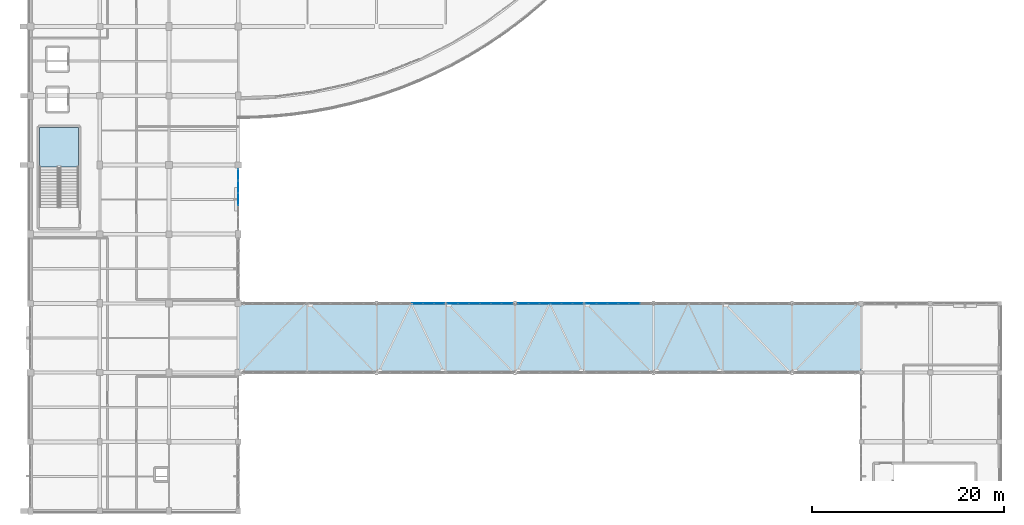
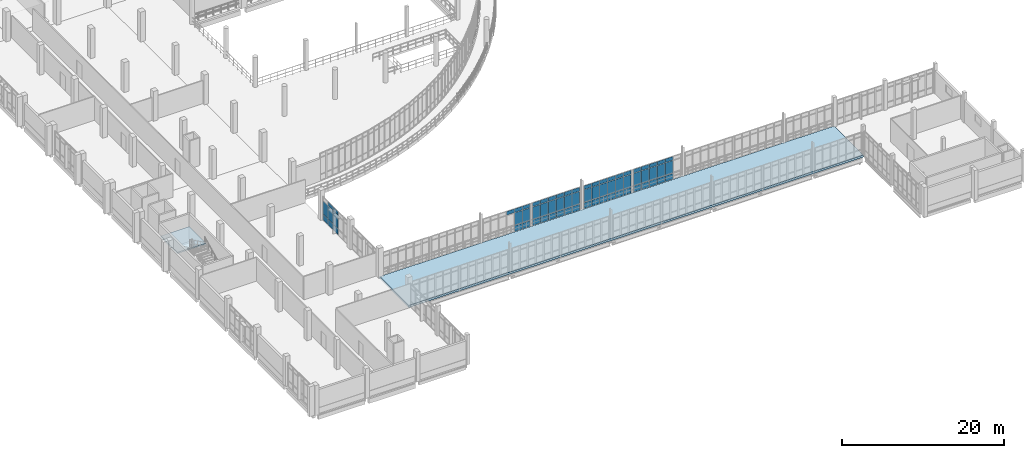
# One storey, part 87 of 116: 66 plates, 2 slabs, 6 elements without a shape of their own.
"""IFC4 building model written with IfcOpenShell, lengths in metres."""

from ifc_helpers import new_model, si_unit, direction, frame, origin, origin_2d, place, context, subcontext, project, spatial, polyline, rectangle, outline, extrude, material, layer, layer_set, type_object, element, aggregate, save


model = new_model("IFC4")

# Units and contexts
model_context = context("Model", 3, precision=1e-05, world=origin(), true_north=direction((0.0, 1.0)))
body_context = subcontext(model_context, "Body", "Model", "MODEL_VIEW")
ifc_project = project(units=[si_unit("LENGTHUNIT", "METRE"), si_unit("AREAUNIT", "SQUARE_METRE"), si_unit("VOLUMEUNIT", "CUBIC_METRE"), si_unit("PLANEANGLEUNIT", "RADIAN"), si_unit("MASSUNIT", "GRAM", prefix="KILO")], contexts=[model_context])

# Site, building, storey
site_placement = place(None, origin())
site = spatial("IfcSite", under=ifc_project, at=site_placement, CompositionType="ELEMENT")
building_placement = place(site_placement, origin())
building = spatial("IfcBuilding", under=site, at=building_placement, Name="Kalluvel Institute of Natural Sciences", CompositionType="ELEMENT")
storey_placement = place(building_placement, frame((0.0, 0.0, 14.39990234375)))
storey = spatial("IfcBuildingStorey", under=building, at=storey_placement, Name="L03", CompositionType="ELEMENT", Elevation=14.39990234375)

# Curtain wall, plates
ifc_material_1 = material(Name="Aluminium AW-6063 T6", Category="aluminium")
curtain_wall_type_1 = type_object("IfcCurtainWallType", Name="CW-DRY-45", PredefinedType="USERDEFINED", material=ifc_material_1)
curtain_wall_1_placement = place(storey_placement, origin())
curtain_wall_1 = element("IfcCurtainWall", 1, at=curtain_wall_1_placement, inside=storey, type_object=curtain_wall_type_1, Name="L03 Gothic lancet curtain wall CWA-L03-X356-Y432", ObjectType="UNITISED LANCET FACADE", PredefinedType="USERDEFINED")
ifc_material_2 = material(Name="Solar-Control Low-E Laminated Glass", Category="glass")
ifc_layer_1 = layer(ifc_material_2, 0.031982421875)
ifc_layer_set_1 = layer_set([ifc_layer_1], Name="Solar-Control Low-E Laminated Glass")
plate_type = type_object("IfcPlateType", Name="CWP-DGU-32", PredefinedType="CURTAIN_PANEL", material=ifc_layer_set_1)
plate_1_placement = place(storey_placement, frame((35.60009765625, 46.4375, 0.065185546875), z_axis=(0.0, 0.0, 1.0), x_axis=(0.0, 1.0, 0.0)))
plate_1 = element("IfcPlate", 2, at=plate_1_placement, type_object=plate_type, Name="CW-03 panel 3.1", PredefinedType="CURTAIN_PANEL", context=body_context, shape_type="SweptSolid", body=[
    extrude(rectangle(XDim=1.2099609375, YDim=0.031982421875, at=origin_2d()), origin(), (0.0, 0.0, 1.0), 0.8525390625),
])
plate_2_placement = place(storey_placement, frame((35.60009765625, 46.4375, 0.982666015625), z_axis=(0.0, 0.0, 1.0), x_axis=(0.0, 1.0, 0.0)))
plate_2 = element("IfcPlate", 3, at=plate_2_placement, type_object=plate_type, Name="CW-03 panel 3.2", PredefinedType="CURTAIN_PANEL", context=body_context, shape_type="SweptSolid", body=[
    extrude(rectangle(XDim=1.2099609375, YDim=0.031982421875, at=origin_2d()), origin(), (0.0, 0.0, 1.0), 1.955078125),
])
plate_3_placement = place(storey_placement, frame((35.60009765625, 46.4375, 3.00244140625), z_axis=(0.0, 0.0, 1.0), x_axis=(0.0, 1.0, 0.0)))
plate_3 = element("IfcPlate", 4, at=plate_3_placement, type_object=plate_type, Name="CW-03 panel 3.3", PredefinedType="CURTAIN_PANEL", context=body_context, shape_type="SweptSolid", body=[
    extrude(rectangle(XDim=1.2099609375, YDim=0.031982421875, at=origin_2d()), origin(), (0.0, 0.0, 1.0), 0.552490234375),
])
plate_4_placement = place(storey_placement, frame((35.60009765625, 47.71240234375, 0.065185546875), z_axis=(0.0, 0.0, 1.0), x_axis=(0.0, 1.0, 0.0)))
plate_4 = element("IfcPlate", 5, at=plate_4_placement, type_object=plate_type, Name="CW-03 panel 4.1", PredefinedType="CURTAIN_PANEL", context=body_context, shape_type="SweptSolid", body=[
    extrude(rectangle(XDim=1.2099609375, YDim=0.031982421875, at=origin_2d()), origin(), (0.0, 0.0, 1.0), 0.8525390625),
])
plate_5_placement = place(storey_placement, frame((35.60009765625, 47.71240234375, 0.982666015625), z_axis=(0.0, 0.0, 1.0), x_axis=(0.0, 1.0, 0.0)))
plate_5 = element("IfcPlate", 6, at=plate_5_placement, type_object=plate_type, Name="CW-03 panel 4.2", PredefinedType="CURTAIN_PANEL", context=body_context, shape_type="SweptSolid", body=[
    extrude(rectangle(XDim=1.2099609375, YDim=0.031982421875, at=origin_2d()), origin(), (0.0, 0.0, 1.0), 1.955078125),
])
plate_6_placement = place(storey_placement, frame((35.60009765625, 47.71240234375, 3.00244140625), z_axis=(0.0, 0.0, 1.0), x_axis=(0.0, 1.0, 0.0)))
plate_6 = element("IfcPlate", 7, at=plate_6_placement, type_object=plate_type, Name="CW-03 panel 4.3", PredefinedType="CURTAIN_PANEL", context=body_context, shape_type="SweptSolid", body=[
    extrude(rectangle(XDim=1.2099609375, YDim=0.031982421875, at=origin_2d()), origin(), (0.0, 0.0, 1.0), 0.552490234375),
])
plate_7_placement = place(storey_placement, frame((35.60009765625, 48.97119140625, 0.065185546875), z_axis=(0.0, 0.0, 1.0), x_axis=(0.0, 1.0, 0.0)))
plate_7 = element("IfcPlate", 8, at=plate_7_placement, type_object=plate_type, Name="CW-03 panel 5.1", PredefinedType="CURTAIN_PANEL", context=body_context, shape_type="SweptSolid", body=[
    extrude(rectangle(XDim=1.177490234375, YDim=0.031982421875, at=origin_2d()), origin(), (0.0, 0.0, 1.0), 0.8525390625),
])
plate_8_placement = place(storey_placement, frame((35.60009765625, 48.97119140625, 0.982666015625), z_axis=(0.0, 0.0, 1.0), x_axis=(0.0, 1.0, 0.0)))
plate_8 = element("IfcPlate", 9, at=plate_8_placement, type_object=plate_type, Name="CW-03 panel 5.2", PredefinedType="CURTAIN_PANEL", context=body_context, shape_type="SweptSolid", body=[
    extrude(rectangle(XDim=1.177490234375, YDim=0.031982421875, at=origin_2d()), origin(), (0.0, 0.0, 1.0), 1.955078125),
])
aggregate(curtain_wall_1, [plate_1, plate_2, plate_3, plate_4, plate_5, plate_6, plate_7, plate_8])

curtain_wall_type_2 = type_object("IfcCurtainWallType", Name="CW-BRG-45", PredefinedType="USERDEFINED", material=ifc_material_1)
curtain_wall_2_placement = place(storey_placement, origin())
curtain_wall_2 = element("IfcCurtainWall", 10, at=curtain_wall_2_placement, inside=storey, type_object=curtain_wall_type_2, Name="L03 Gothic lancet curtain wall CWA-L03-X502-Y356", ObjectType="UNITISED LANCET FACADE", PredefinedType="USERDEFINED")
plate_9_placement = place(storey_placement, frame((54.239990234375, 35.60009765625, 2.920166015625), z_axis=(0.0, 0.0, 1.0), x_axis=(1.0, 0.0, 0.0)))
plate_9 = element("IfcPlate", 11, at=plate_9_placement, type_object=plate_type, Name="CW-07 panel 4.3", PredefinedType="CURTAIN_PANEL", context=body_context, shape_type="SweptSolid", body=[
    extrude(rectangle(XDim=1.080078125, YDim=0.031982421875, at=origin_2d()), origin(), (0.0, 0.0, 1.0), 0.56005859375),
])
plate_10_placement = place(storey_placement, frame((55.3798828125, 35.60009765625, 0.06005859375), z_axis=(0.0, 0.0, 1.0), x_axis=(1.0, 0.0, 0.0)))
plate_10 = element("IfcPlate", 12, at=plate_10_placement, type_object=plate_type, Name="CW-07 panel 5.1", PredefinedType="CURTAIN_PANEL", context=body_context, shape_type="SweptSolid", body=[
    extrude(rectangle(XDim=1.080078125, YDim=0.031982421875, at=origin_2d()), origin(), (0.0, 0.0, 1.0), 0.860107421875),
])
plate_11_placement = place(storey_placement, frame((55.3798828125, 35.60009765625, 0.980224609375), z_axis=(0.0, 0.0, 1.0), x_axis=(1.0, 0.0, 0.0)))
plate_11 = element("IfcPlate", 13, at=plate_11_placement, type_object=plate_type, Name="CW-07 panel 5.2", PredefinedType="CURTAIN_PANEL", context=body_context, shape_type="SweptSolid", body=[
    extrude(rectangle(XDim=1.080078125, YDim=0.031982421875, at=origin_2d()), origin(), (0.0, 0.0, 1.0), 1.8798828125),
])
plate_12_placement = place(storey_placement, frame((55.3798828125, 35.60009765625, 2.920166015625), z_axis=(0.0, 0.0, 1.0), x_axis=(1.0, 0.0, 0.0)))
plate_12 = element("IfcPlate", 14, at=plate_12_placement, type_object=plate_type, Name="CW-07 panel 5.3", PredefinedType="CURTAIN_PANEL", context=body_context, shape_type="SweptSolid", body=[
    extrude(rectangle(XDim=1.080078125, YDim=0.031982421875, at=origin_2d()), origin(), (0.0, 0.0, 1.0), 0.56005859375),
])
plate_13_placement = place(storey_placement, frame((56.5048828125, 35.60009765625, 0.06005859375), z_axis=(0.0, 0.0, 1.0), x_axis=(1.0, 0.0, 0.0)))
plate_13 = element("IfcPlate", 15, at=plate_13_placement, type_object=plate_type, Name="CW-07 panel 6.1", PredefinedType="CURTAIN_PANEL", context=body_context, shape_type="SweptSolid", body=[
    extrude(rectangle(XDim=1.050048828125, YDim=0.031982421875, at=origin_2d()), origin(), (0.0, 0.0, 1.0), 0.860107421875),
])
plate_14_placement = place(storey_placement, frame((56.5048828125, 35.60009765625, 0.980224609375), z_axis=(0.0, 0.0, 1.0), x_axis=(1.0, 0.0, 0.0)))
plate_14 = element("IfcPlate", 16, at=plate_14_placement, type_object=plate_type, Name="CW-07 panel 6.2", PredefinedType="CURTAIN_PANEL", context=body_context, shape_type="SweptSolid", body=[
    extrude(rectangle(XDim=1.050048828125, YDim=0.031982421875, at=origin_2d()), origin(), (0.0, 0.0, 1.0), 1.8798828125),
])
plate_15_placement = place(storey_placement, frame((56.5048828125, 35.60009765625, 2.920166015625), z_axis=(0.0, 0.0, 1.0), x_axis=(1.0, 0.0, 0.0)))
plate_15 = element("IfcPlate", 17, at=plate_15_placement, type_object=plate_type, Name="CW-07 panel 6.3", PredefinedType="CURTAIN_PANEL", context=body_context, shape_type="SweptSolid", body=[
    extrude(rectangle(XDim=1.050048828125, YDim=0.031982421875, at=origin_2d()), origin(), (0.0, 0.0, 1.0), 0.56005859375),
])
aggregate(curtain_wall_2, [plate_9, plate_10, plate_11, plate_12, plate_13, plate_14, plate_15])

curtain_wall_3_placement = place(storey_placement, origin())
curtain_wall_3 = element("IfcCurtainWall", 18, at=curtain_wall_3_placement, inside=storey, type_object=curtain_wall_type_2, Name="L03 Gothic lancet curtain wall CWA-L03-X573-Y356", ObjectType="UNITISED LANCET FACADE", PredefinedType="USERDEFINED")
plate_16_placement = place(storey_placement, frame((57.89501953125, 35.60009765625, 0.06005859375), z_axis=(0.0, 0.0, 1.0), x_axis=(1.0, 0.0, 0.0)))
plate_16 = element("IfcPlate", 19, at=plate_16_placement, type_object=plate_type, Name="CW-07 panel 1.1", PredefinedType="CURTAIN_PANEL", context=body_context, shape_type="SweptSolid", body=[
    extrude(rectangle(XDim=1.050048828125, YDim=0.031982421875, at=origin_2d()), origin(), (0.0, 0.0, 1.0), 0.860107421875),
])
plate_17_placement = place(storey_placement, frame((57.89501953125, 35.60009765625, 0.980224609375), z_axis=(0.0, 0.0, 1.0), x_axis=(1.0, 0.0, 0.0)))
plate_17 = element("IfcPlate", 20, at=plate_17_placement, type_object=plate_type, Name="CW-07 panel 1.2", PredefinedType="CURTAIN_PANEL", context=body_context, shape_type="SweptSolid", body=[
    extrude(rectangle(XDim=1.050048828125, YDim=0.031982421875, at=origin_2d()), origin(), (0.0, 0.0, 1.0), 1.8798828125),
])
plate_18_placement = place(storey_placement, frame((57.89501953125, 35.60009765625, 2.920166015625), z_axis=(0.0, 0.0, 1.0), x_axis=(1.0, 0.0, 0.0)))
plate_18 = element("IfcPlate", 21, at=plate_18_placement, type_object=plate_type, Name="CW-07 panel 1.3", PredefinedType="CURTAIN_PANEL", context=body_context, shape_type="SweptSolid", body=[
    extrude(rectangle(XDim=1.050048828125, YDim=0.031982421875, at=origin_2d()), origin(), (0.0, 0.0, 1.0), 0.56005859375),
])
plate_19_placement = place(storey_placement, frame((59.02001953125, 35.60009765625, 0.06005859375), z_axis=(0.0, 0.0, 1.0), x_axis=(1.0, 0.0, 0.0)))
plate_19 = element("IfcPlate", 22, at=plate_19_placement, type_object=plate_type, Name="CW-07 panel 2.1", PredefinedType="CURTAIN_PANEL", context=body_context, shape_type="SweptSolid", body=[
    extrude(rectangle(XDim=1.080078125, YDim=0.031982421875, at=origin_2d()), origin(), (0.0, 0.0, 1.0), 0.860107421875),
])
plate_20_placement = place(storey_placement, frame((59.02001953125, 35.60009765625, 0.980224609375), z_axis=(0.0, 0.0, 1.0), x_axis=(1.0, 0.0, 0.0)))
plate_20 = element("IfcPlate", 23, at=plate_20_placement, type_object=plate_type, Name="CW-07 panel 2.2", PredefinedType="CURTAIN_PANEL", context=body_context, shape_type="SweptSolid", body=[
    extrude(rectangle(XDim=1.080078125, YDim=0.031982421875, at=origin_2d()), origin(), (0.0, 0.0, 1.0), 1.8798828125),
])
plate_21_placement = place(storey_placement, frame((59.02001953125, 35.60009765625, 2.920166015625), z_axis=(0.0, 0.0, 1.0), x_axis=(1.0, 0.0, 0.0)))
plate_21 = element("IfcPlate", 24, at=plate_21_placement, type_object=plate_type, Name="CW-07 panel 2.3", PredefinedType="CURTAIN_PANEL", context=body_context, shape_type="SweptSolid", body=[
    extrude(rectangle(XDim=1.080078125, YDim=0.031982421875, at=origin_2d()), origin(), (0.0, 0.0, 1.0), 0.56005859375),
])
plate_22_placement = place(storey_placement, frame((60.159912109375, 35.60009765625, 0.06005859375), z_axis=(0.0, 0.0, 1.0), x_axis=(1.0, 0.0, 0.0)))
plate_22 = element("IfcPlate", 25, at=plate_22_placement, type_object=plate_type, Name="CW-07 panel 3.1", PredefinedType="CURTAIN_PANEL", context=body_context, shape_type="SweptSolid", body=[
    extrude(rectangle(XDim=1.080078125, YDim=0.031982421875, at=origin_2d()), origin(), (0.0, 0.0, 1.0), 0.860107421875),
])
plate_23_placement = place(storey_placement, frame((60.159912109375, 35.60009765625, 0.980224609375), z_axis=(0.0, 0.0, 1.0), x_axis=(1.0, 0.0, 0.0)))
plate_23 = element("IfcPlate", 26, at=plate_23_placement, type_object=plate_type, Name="CW-07 panel 3.2", PredefinedType="CURTAIN_PANEL", context=body_context, shape_type="SweptSolid", body=[
    extrude(rectangle(XDim=1.080078125, YDim=0.031982421875, at=origin_2d()), origin(), (0.0, 0.0, 1.0), 1.8798828125),
])
plate_24_placement = place(storey_placement, frame((60.159912109375, 35.60009765625, 2.920166015625), z_axis=(0.0, 0.0, 1.0), x_axis=(1.0, 0.0, 0.0)))
plate_24 = element("IfcPlate", 27, at=plate_24_placement, type_object=plate_type, Name="CW-07 panel 3.3", PredefinedType="CURTAIN_PANEL", context=body_context, shape_type="SweptSolid", body=[
    extrude(rectangle(XDim=1.080078125, YDim=0.031982421875, at=origin_2d()), origin(), (0.0, 0.0, 1.0), 0.56005859375),
])
plate_25_placement = place(storey_placement, frame((61.300048828125, 35.60009765625, 0.06005859375), z_axis=(0.0, 0.0, 1.0), x_axis=(1.0, 0.0, 0.0)))
plate_25 = element("IfcPlate", 28, at=plate_25_placement, type_object=plate_type, Name="CW-07 panel 4.1", PredefinedType="CURTAIN_PANEL", context=body_context, shape_type="SweptSolid", body=[
    extrude(rectangle(XDim=1.080078125, YDim=0.031982421875, at=origin_2d()), origin(), (0.0, 0.0, 1.0), 0.860107421875),
])
plate_26_placement = place(storey_placement, frame((61.300048828125, 35.60009765625, 0.980224609375), z_axis=(0.0, 0.0, 1.0), x_axis=(1.0, 0.0, 0.0)))
plate_26 = element("IfcPlate", 29, at=plate_26_placement, type_object=plate_type, Name="CW-07 panel 4.2", PredefinedType="CURTAIN_PANEL", context=body_context, shape_type="SweptSolid", body=[
    extrude(rectangle(XDim=1.080078125, YDim=0.031982421875, at=origin_2d()), origin(), (0.0, 0.0, 1.0), 1.8798828125),
])
plate_27_placement = place(storey_placement, frame((61.300048828125, 35.60009765625, 2.920166015625), z_axis=(0.0, 0.0, 1.0), x_axis=(1.0, 0.0, 0.0)))
plate_27 = element("IfcPlate", 30, at=plate_27_placement, type_object=plate_type, Name="CW-07 panel 4.3", PredefinedType="CURTAIN_PANEL", context=body_context, shape_type="SweptSolid", body=[
    extrude(rectangle(XDim=1.080078125, YDim=0.031982421875, at=origin_2d()), origin(), (0.0, 0.0, 1.0), 0.56005859375),
])
plate_28_placement = place(storey_placement, frame((62.43994140625, 35.60009765625, 0.06005859375), z_axis=(0.0, 0.0, 1.0), x_axis=(1.0, 0.0, 0.0)))
plate_28 = element("IfcPlate", 31, at=plate_28_placement, type_object=plate_type, Name="CW-07 panel 5.1", PredefinedType="CURTAIN_PANEL", context=body_context, shape_type="SweptSolid", body=[
    extrude(rectangle(XDim=1.080078125, YDim=0.031982421875, at=origin_2d()), origin(), (0.0, 0.0, 1.0), 0.860107421875),
])
plate_29_placement = place(storey_placement, frame((62.43994140625, 35.60009765625, 0.980224609375), z_axis=(0.0, 0.0, 1.0), x_axis=(1.0, 0.0, 0.0)))
plate_29 = element("IfcPlate", 32, at=plate_29_placement, type_object=plate_type, Name="CW-07 panel 5.2", PredefinedType="CURTAIN_PANEL", context=body_context, shape_type="SweptSolid", body=[
    extrude(rectangle(XDim=1.080078125, YDim=0.031982421875, at=origin_2d()), origin(), (0.0, 0.0, 1.0), 1.8798828125),
])
plate_30_placement = place(storey_placement, frame((62.43994140625, 35.60009765625, 2.920166015625), z_axis=(0.0, 0.0, 1.0), x_axis=(1.0, 0.0, 0.0)))
plate_30 = element("IfcPlate", 33, at=plate_30_placement, type_object=plate_type, Name="CW-07 panel 5.3", PredefinedType="CURTAIN_PANEL", context=body_context, shape_type="SweptSolid", body=[
    extrude(rectangle(XDim=1.080078125, YDim=0.031982421875, at=origin_2d()), origin(), (0.0, 0.0, 1.0), 0.56005859375),
])
plate_31_placement = place(storey_placement, frame((63.56494140625, 35.60009765625, 0.06005859375), z_axis=(0.0, 0.0, 1.0), x_axis=(1.0, 0.0, 0.0)))
plate_31 = element("IfcPlate", 34, at=plate_31_placement, type_object=plate_type, Name="CW-07 panel 6.1", PredefinedType="CURTAIN_PANEL", context=body_context, shape_type="SweptSolid", body=[
    extrude(rectangle(XDim=1.050048828125, YDim=0.031982421875, at=origin_2d()), origin(), (0.0, 0.0, 1.0), 0.860107421875),
])
plate_32_placement = place(storey_placement, frame((63.56494140625, 35.60009765625, 0.980224609375), z_axis=(0.0, 0.0, 1.0), x_axis=(1.0, 0.0, 0.0)))
plate_32 = element("IfcPlate", 35, at=plate_32_placement, type_object=plate_type, Name="CW-07 panel 6.2", PredefinedType="CURTAIN_PANEL", context=body_context, shape_type="SweptSolid", body=[
    extrude(rectangle(XDim=1.050048828125, YDim=0.031982421875, at=origin_2d()), origin(), (0.0, 0.0, 1.0), 1.8798828125),
])
plate_33_placement = place(storey_placement, frame((63.56494140625, 35.60009765625, 2.920166015625), z_axis=(0.0, 0.0, 1.0), x_axis=(1.0, 0.0, 0.0)))
plate_33 = element("IfcPlate", 36, at=plate_33_placement, type_object=plate_type, Name="CW-07 panel 6.3", PredefinedType="CURTAIN_PANEL", context=body_context, shape_type="SweptSolid", body=[
    extrude(rectangle(XDim=1.050048828125, YDim=0.031982421875, at=origin_2d()), origin(), (0.0, 0.0, 1.0), 0.56005859375),
])
aggregate(curtain_wall_3, [plate_16, plate_17, plate_18, plate_19, plate_20, plate_21, plate_22, plate_23, plate_24, plate_25, plate_26, plate_27, plate_28, plate_29, plate_30, plate_31, plate_32, plate_33])

curtain_wall_4_placement = place(storey_placement, origin())
curtain_wall_4 = element("IfcCurtainWall", 37, at=curtain_wall_4_placement, inside=storey, type_object=curtain_wall_type_2, Name="L03 Gothic lancet curtain wall CWA-L03-X646-Y356", ObjectType="UNITISED LANCET FACADE", PredefinedType="USERDEFINED")
plate_34_placement = place(storey_placement, frame((65.235107421875, 35.60009765625, 0.06005859375), z_axis=(0.0, 0.0, 1.0), x_axis=(1.0, 0.0, 0.0)))
plate_34 = element("IfcPlate", 38, at=plate_34_placement, type_object=plate_type, Name="CW-07 panel 1.1", PredefinedType="CURTAIN_PANEL", context=body_context, shape_type="SweptSolid", body=[
    extrude(rectangle(XDim=1.050048828125, YDim=0.031982421875, at=origin_2d()), origin(), (0.0, 0.0, 1.0), 0.860107421875),
])
plate_35_placement = place(storey_placement, frame((65.235107421875, 35.60009765625, 0.980224609375), z_axis=(0.0, 0.0, 1.0), x_axis=(1.0, 0.0, 0.0)))
plate_35 = element("IfcPlate", 39, at=plate_35_placement, type_object=plate_type, Name="CW-07 panel 1.2", PredefinedType="CURTAIN_PANEL", context=body_context, shape_type="SweptSolid", body=[
    extrude(rectangle(XDim=1.050048828125, YDim=0.031982421875, at=origin_2d()), origin(), (0.0, 0.0, 1.0), 1.8798828125),
])
plate_36_placement = place(storey_placement, frame((65.235107421875, 35.60009765625, 2.920166015625), z_axis=(0.0, 0.0, 1.0), x_axis=(1.0, 0.0, 0.0)))
plate_36 = element("IfcPlate", 40, at=plate_36_placement, type_object=plate_type, Name="CW-07 panel 1.3", PredefinedType="CURTAIN_PANEL", context=body_context, shape_type="SweptSolid", body=[
    extrude(rectangle(XDim=1.050048828125, YDim=0.031982421875, at=origin_2d()), origin(), (0.0, 0.0, 1.0), 0.56005859375),
])
plate_37_placement = place(storey_placement, frame((66.360107421875, 35.60009765625, 0.06005859375), z_axis=(0.0, 0.0, 1.0), x_axis=(1.0, 0.0, 0.0)))
plate_37 = element("IfcPlate", 41, at=plate_37_placement, type_object=plate_type, Name="CW-07 panel 2.1", PredefinedType="CURTAIN_PANEL", context=body_context, shape_type="SweptSolid", body=[
    extrude(rectangle(XDim=1.080078125, YDim=0.031982421875, at=origin_2d()), origin(), (0.0, 0.0, 1.0), 0.860107421875),
])
plate_38_placement = place(storey_placement, frame((66.360107421875, 35.60009765625, 0.980224609375), z_axis=(0.0, 0.0, 1.0), x_axis=(1.0, 0.0, 0.0)))
plate_38 = element("IfcPlate", 42, at=plate_38_placement, type_object=plate_type, Name="CW-07 panel 2.2", PredefinedType="CURTAIN_PANEL", context=body_context, shape_type="SweptSolid", body=[
    extrude(rectangle(XDim=1.080078125, YDim=0.031982421875, at=origin_2d()), origin(), (0.0, 0.0, 1.0), 1.8798828125),
])
plate_39_placement = place(storey_placement, frame((66.360107421875, 35.60009765625, 2.920166015625), z_axis=(0.0, 0.0, 1.0), x_axis=(1.0, 0.0, 0.0)))
plate_39 = element("IfcPlate", 43, at=plate_39_placement, type_object=plate_type, Name="CW-07 panel 2.3", PredefinedType="CURTAIN_PANEL", context=body_context, shape_type="SweptSolid", body=[
    extrude(rectangle(XDim=1.080078125, YDim=0.031982421875, at=origin_2d()), origin(), (0.0, 0.0, 1.0), 0.56005859375),
])
plate_40_placement = place(storey_placement, frame((67.5, 35.60009765625, 0.06005859375), z_axis=(0.0, 0.0, 1.0), x_axis=(1.0, 0.0, 0.0)))
plate_40 = element("IfcPlate", 44, at=plate_40_placement, type_object=plate_type, Name="CW-07 panel 3.1", PredefinedType="CURTAIN_PANEL", context=body_context, shape_type="SweptSolid", body=[
    extrude(rectangle(XDim=1.080078125, YDim=0.031982421875, at=origin_2d()), origin(), (0.0, 0.0, 1.0), 0.860107421875),
])
plate_41_placement = place(storey_placement, frame((67.5, 35.60009765625, 0.980224609375), z_axis=(0.0, 0.0, 1.0), x_axis=(1.0, 0.0, 0.0)))
plate_41 = element("IfcPlate", 45, at=plate_41_placement, type_object=plate_type, Name="CW-07 panel 3.2", PredefinedType="CURTAIN_PANEL", context=body_context, shape_type="SweptSolid", body=[
    extrude(rectangle(XDim=1.080078125, YDim=0.031982421875, at=origin_2d()), origin(), (0.0, 0.0, 1.0), 1.8798828125),
])
plate_42_placement = place(storey_placement, frame((67.5, 35.60009765625, 2.920166015625), z_axis=(0.0, 0.0, 1.0), x_axis=(1.0, 0.0, 0.0)))
plate_42 = element("IfcPlate", 46, at=plate_42_placement, type_object=plate_type, Name="CW-07 panel 3.3", PredefinedType="CURTAIN_PANEL", context=body_context, shape_type="SweptSolid", body=[
    extrude(rectangle(XDim=1.080078125, YDim=0.031982421875, at=origin_2d()), origin(), (0.0, 0.0, 1.0), 0.56005859375),
])
plate_43_placement = place(storey_placement, frame((68.639892578125, 35.60009765625, 0.06005859375), z_axis=(0.0, 0.0, 1.0), x_axis=(1.0, 0.0, 0.0)))
plate_43 = element("IfcPlate", 47, at=plate_43_placement, type_object=plate_type, Name="CW-07 panel 4.1", PredefinedType="CURTAIN_PANEL", context=body_context, shape_type="SweptSolid", body=[
    extrude(rectangle(XDim=1.080078125, YDim=0.031982421875, at=origin_2d()), origin(), (0.0, 0.0, 1.0), 0.860107421875),
])
plate_44_placement = place(storey_placement, frame((68.639892578125, 35.60009765625, 0.980224609375), z_axis=(0.0, 0.0, 1.0), x_axis=(1.0, 0.0, 0.0)))
plate_44 = element("IfcPlate", 48, at=plate_44_placement, type_object=plate_type, Name="CW-07 panel 4.2", PredefinedType="CURTAIN_PANEL", context=body_context, shape_type="SweptSolid", body=[
    extrude(rectangle(XDim=1.080078125, YDim=0.031982421875, at=origin_2d()), origin(), (0.0, 0.0, 1.0), 1.8798828125),
])
plate_45_placement = place(storey_placement, frame((68.639892578125, 35.60009765625, 2.920166015625), z_axis=(0.0, 0.0, 1.0), x_axis=(1.0, 0.0, 0.0)))
plate_45 = element("IfcPlate", 49, at=plate_45_placement, type_object=plate_type, Name="CW-07 panel 4.3", PredefinedType="CURTAIN_PANEL", context=body_context, shape_type="SweptSolid", body=[
    extrude(rectangle(XDim=1.080078125, YDim=0.031982421875, at=origin_2d()), origin(), (0.0, 0.0, 1.0), 0.56005859375),
])
plate_46_placement = place(storey_placement, frame((69.780029296875, 35.60009765625, 0.06005859375), z_axis=(0.0, 0.0, 1.0), x_axis=(1.0, 0.0, 0.0)))
plate_46 = element("IfcPlate", 50, at=plate_46_placement, type_object=plate_type, Name="CW-07 panel 5.1", PredefinedType="CURTAIN_PANEL", context=body_context, shape_type="SweptSolid", body=[
    extrude(rectangle(XDim=1.080078125, YDim=0.031982421875, at=origin_2d()), origin(), (0.0, 0.0, 1.0), 0.860107421875),
])
plate_47_placement = place(storey_placement, frame((69.780029296875, 35.60009765625, 0.980224609375), z_axis=(0.0, 0.0, 1.0), x_axis=(1.0, 0.0, 0.0)))
plate_47 = element("IfcPlate", 51, at=plate_47_placement, type_object=plate_type, Name="CW-07 panel 5.2", PredefinedType="CURTAIN_PANEL", context=body_context, shape_type="SweptSolid", body=[
    extrude(rectangle(XDim=1.080078125, YDim=0.031982421875, at=origin_2d()), origin(), (0.0, 0.0, 1.0), 1.8798828125),
])
plate_48_placement = place(storey_placement, frame((69.780029296875, 35.60009765625, 2.920166015625), z_axis=(0.0, 0.0, 1.0), x_axis=(1.0, 0.0, 0.0)))
plate_48 = element("IfcPlate", 52, at=plate_48_placement, type_object=plate_type, Name="CW-07 panel 5.3", PredefinedType="CURTAIN_PANEL", context=body_context, shape_type="SweptSolid", body=[
    extrude(rectangle(XDim=1.080078125, YDim=0.031982421875, at=origin_2d()), origin(), (0.0, 0.0, 1.0), 0.56005859375),
])
plate_49_placement = place(storey_placement, frame((70.905029296875, 35.60009765625, 0.06005859375), z_axis=(0.0, 0.0, 1.0), x_axis=(1.0, 0.0, 0.0)))
plate_49 = element("IfcPlate", 53, at=plate_49_placement, type_object=plate_type, Name="CW-07 panel 6.1", PredefinedType="CURTAIN_PANEL", context=body_context, shape_type="SweptSolid", body=[
    extrude(rectangle(XDim=1.050048828125, YDim=0.031982421875, at=origin_2d()), origin(), (0.0, 0.0, 1.0), 0.860107421875),
])
plate_50_placement = place(storey_placement, frame((70.905029296875, 35.60009765625, 0.980224609375), z_axis=(0.0, 0.0, 1.0), x_axis=(1.0, 0.0, 0.0)))
plate_50 = element("IfcPlate", 54, at=plate_50_placement, type_object=plate_type, Name="CW-07 panel 6.2", PredefinedType="CURTAIN_PANEL", context=body_context, shape_type="SweptSolid", body=[
    extrude(rectangle(XDim=1.050048828125, YDim=0.031982421875, at=origin_2d()), origin(), (0.0, 0.0, 1.0), 1.8798828125),
])
plate_51_placement = place(storey_placement, frame((70.905029296875, 35.60009765625, 2.920166015625), z_axis=(0.0, 0.0, 1.0), x_axis=(1.0, 0.0, 0.0)))
plate_51 = element("IfcPlate", 55, at=plate_51_placement, type_object=plate_type, Name="CW-07 panel 6.3", PredefinedType="CURTAIN_PANEL", context=body_context, shape_type="SweptSolid", body=[
    extrude(rectangle(XDim=1.050048828125, YDim=0.031982421875, at=origin_2d()), origin(), (0.0, 0.0, 1.0), 0.56005859375),
])
aggregate(curtain_wall_4, [plate_34, plate_35, plate_36, plate_37, plate_38, plate_39, plate_40, plate_41, plate_42, plate_43, plate_44, plate_45, plate_46, plate_47, plate_48, plate_49, plate_50, plate_51])

curtain_wall_5_placement = place(storey_placement, origin())
curtain_wall_5 = element("IfcCurtainWall", 56, at=curtain_wall_5_placement, inside=storey, type_object=curtain_wall_type_2, Name="L03 Gothic lancet curtain wall CWA-L03-X717-Y356", ObjectType="UNITISED LANCET FACADE", PredefinedType="USERDEFINED")
plate_52_placement = place(storey_placement, frame((72.294921875, 35.60009765625, 0.06005859375), z_axis=(0.0, 0.0, 1.0), x_axis=(1.0, 0.0, 0.0)))
plate_52 = element("IfcPlate", 57, at=plate_52_placement, type_object=plate_type, Name="CW-07 panel 1.1", PredefinedType="CURTAIN_PANEL", context=body_context, shape_type="SweptSolid", body=[
    extrude(rectangle(XDim=1.050048828125, YDim=0.031982421875, at=origin_2d()), origin(), (0.0, 0.0, 1.0), 0.860107421875),
])
plate_53_placement = place(storey_placement, frame((72.294921875, 35.60009765625, 0.980224609375), z_axis=(0.0, 0.0, 1.0), x_axis=(1.0, 0.0, 0.0)))
plate_53 = element("IfcPlate", 58, at=plate_53_placement, type_object=plate_type, Name="CW-07 panel 1.2", PredefinedType="CURTAIN_PANEL", context=body_context, shape_type="SweptSolid", body=[
    extrude(rectangle(XDim=1.050048828125, YDim=0.031982421875, at=origin_2d()), origin(), (0.0, 0.0, 1.0), 1.8798828125),
])
plate_54_placement = place(storey_placement, frame((72.294921875, 35.60009765625, 2.920166015625), z_axis=(0.0, 0.0, 1.0), x_axis=(1.0, 0.0, 0.0)))
plate_54 = element("IfcPlate", 59, at=plate_54_placement, type_object=plate_type, Name="CW-07 panel 1.3", PredefinedType="CURTAIN_PANEL", context=body_context, shape_type="SweptSolid", body=[
    extrude(rectangle(XDim=1.050048828125, YDim=0.031982421875, at=origin_2d()), origin(), (0.0, 0.0, 1.0), 0.56005859375),
])
plate_55_placement = place(storey_placement, frame((73.419921875, 35.60009765625, 0.06005859375), z_axis=(0.0, 0.0, 1.0), x_axis=(1.0, 0.0, 0.0)))
plate_55 = element("IfcPlate", 60, at=plate_55_placement, type_object=plate_type, Name="CW-07 panel 2.1", PredefinedType="CURTAIN_PANEL", context=body_context, shape_type="SweptSolid", body=[
    extrude(rectangle(XDim=1.080078125, YDim=0.031982421875, at=origin_2d()), origin(), (0.0, 0.0, 1.0), 0.860107421875),
])
plate_56_placement = place(storey_placement, frame((73.419921875, 35.60009765625, 0.980224609375), z_axis=(0.0, 0.0, 1.0), x_axis=(1.0, 0.0, 0.0)))
plate_56 = element("IfcPlate", 61, at=plate_56_placement, type_object=plate_type, Name="CW-07 panel 2.2", PredefinedType="CURTAIN_PANEL", context=body_context, shape_type="SweptSolid", body=[
    extrude(rectangle(XDim=1.080078125, YDim=0.031982421875, at=origin_2d()), origin(), (0.0, 0.0, 1.0), 1.8798828125),
])
plate_57_placement = place(storey_placement, frame((73.419921875, 35.60009765625, 2.920166015625), z_axis=(0.0, 0.0, 1.0), x_axis=(1.0, 0.0, 0.0)))
plate_57 = element("IfcPlate", 62, at=plate_57_placement, type_object=plate_type, Name="CW-07 panel 2.3", PredefinedType="CURTAIN_PANEL", context=body_context, shape_type="SweptSolid", body=[
    extrude(rectangle(XDim=1.080078125, YDim=0.031982421875, at=origin_2d()), origin(), (0.0, 0.0, 1.0), 0.56005859375),
])
plate_58_placement = place(storey_placement, frame((74.56005859375, 35.60009765625, 0.06005859375), z_axis=(0.0, 0.0, 1.0), x_axis=(1.0, 0.0, 0.0)))
plate_58 = element("IfcPlate", 63, at=plate_58_placement, type_object=plate_type, Name="CW-07 panel 3.1", PredefinedType="CURTAIN_PANEL", context=body_context, shape_type="SweptSolid", body=[
    extrude(rectangle(XDim=1.080078125, YDim=0.031982421875, at=origin_2d()), origin(), (0.0, 0.0, 1.0), 0.860107421875),
])
plate_59_placement = place(storey_placement, frame((74.56005859375, 35.60009765625, 0.980224609375), z_axis=(0.0, 0.0, 1.0), x_axis=(1.0, 0.0, 0.0)))
plate_59 = element("IfcPlate", 64, at=plate_59_placement, type_object=plate_type, Name="CW-07 panel 3.2", PredefinedType="CURTAIN_PANEL", context=body_context, shape_type="SweptSolid", body=[
    extrude(rectangle(XDim=1.080078125, YDim=0.031982421875, at=origin_2d()), origin(), (0.0, 0.0, 1.0), 1.8798828125),
])
plate_60_placement = place(storey_placement, frame((74.56005859375, 35.60009765625, 2.920166015625), z_axis=(0.0, 0.0, 1.0), x_axis=(1.0, 0.0, 0.0)))
plate_60 = element("IfcPlate", 65, at=plate_60_placement, type_object=plate_type, Name="CW-07 panel 3.3", PredefinedType="CURTAIN_PANEL", context=body_context, shape_type="SweptSolid", body=[
    extrude(rectangle(XDim=1.080078125, YDim=0.031982421875, at=origin_2d()), origin(), (0.0, 0.0, 1.0), 0.56005859375),
])
plate_61_placement = place(storey_placement, frame((75.699951171875, 35.60009765625, 0.06005859375), z_axis=(0.0, 0.0, 1.0), x_axis=(1.0, 0.0, 0.0)))
plate_61 = element("IfcPlate", 66, at=plate_61_placement, type_object=plate_type, Name="CW-07 panel 4.1", PredefinedType="CURTAIN_PANEL", context=body_context, shape_type="SweptSolid", body=[
    extrude(rectangle(XDim=1.080078125, YDim=0.031982421875, at=origin_2d()), origin(), (0.0, 0.0, 1.0), 0.860107421875),
])
plate_62_placement = place(storey_placement, frame((75.699951171875, 35.60009765625, 0.980224609375), z_axis=(0.0, 0.0, 1.0), x_axis=(1.0, 0.0, 0.0)))
plate_62 = element("IfcPlate", 67, at=plate_62_placement, type_object=plate_type, Name="CW-07 panel 4.2", PredefinedType="CURTAIN_PANEL", context=body_context, shape_type="SweptSolid", body=[
    extrude(rectangle(XDim=1.080078125, YDim=0.031982421875, at=origin_2d()), origin(), (0.0, 0.0, 1.0), 1.8798828125),
])
plate_63_placement = place(storey_placement, frame((75.699951171875, 35.60009765625, 2.920166015625), z_axis=(0.0, 0.0, 1.0), x_axis=(1.0, 0.0, 0.0)))
plate_63 = element("IfcPlate", 68, at=plate_63_placement, type_object=plate_type, Name="CW-07 panel 4.3", PredefinedType="CURTAIN_PANEL", context=body_context, shape_type="SweptSolid", body=[
    extrude(rectangle(XDim=1.080078125, YDim=0.031982421875, at=origin_2d()), origin(), (0.0, 0.0, 1.0), 0.56005859375),
])
plate_64_placement = place(storey_placement, frame((76.840087890625, 35.60009765625, 0.06005859375), z_axis=(0.0, 0.0, 1.0), x_axis=(1.0, 0.0, 0.0)))
plate_64 = element("IfcPlate", 69, at=plate_64_placement, type_object=plate_type, Name="CW-07 panel 5.1", PredefinedType="CURTAIN_PANEL", context=body_context, shape_type="SweptSolid", body=[
    extrude(rectangle(XDim=1.080078125, YDim=0.031982421875, at=origin_2d()), origin(), (0.0, 0.0, 1.0), 0.860107421875),
])
plate_65_placement = place(storey_placement, frame((76.840087890625, 35.60009765625, 0.980224609375), z_axis=(0.0, 0.0, 1.0), x_axis=(1.0, 0.0, 0.0)))
plate_65 = element("IfcPlate", 70, at=plate_65_placement, type_object=plate_type, Name="CW-07 panel 5.2", PredefinedType="CURTAIN_PANEL", context=body_context, shape_type="SweptSolid", body=[
    extrude(rectangle(XDim=1.080078125, YDim=0.031982421875, at=origin_2d()), origin(), (0.0, 0.0, 1.0), 1.8798828125),
])
plate_66_placement = place(storey_placement, frame((76.840087890625, 35.60009765625, 2.920166015625), z_axis=(0.0, 0.0, 1.0), x_axis=(1.0, 0.0, 0.0)))
plate_66 = element("IfcPlate", 71, at=plate_66_placement, type_object=plate_type, Name="CW-07 panel 5.3", PredefinedType="CURTAIN_PANEL", context=body_context, shape_type="SweptSolid", body=[
    extrude(rectangle(XDim=1.080078125, YDim=0.031982421875, at=origin_2d()), origin(), (0.0, 0.0, 1.0), 0.56005859375),
])
aggregate(curtain_wall_5, [plate_52, plate_53, plate_54, plate_55, plate_56, plate_57, plate_58, plate_59, plate_60, plate_61, plate_62, plate_63, plate_64, plate_65, plate_66])

# Slab
ifc_material_3 = material(Name="Concrete M40", Category="concrete")
ifc_layer_2 = layer(ifc_material_3, 0.320068359375)
ifc_layer_set_2 = layer_set([ifc_layer_2], Name="Concrete M40")
slab_type_1 = type_object("IfcSlabType", Name="SLB-BRG-260", PredefinedType="FLOOR", material=ifc_layer_set_2)
slab_1_placement = place(storey_placement, frame((0.0, 0.0, -0.31982421875)))
element("IfcSlab", 72, at=slab_1_placement, inside=storey, type_object=slab_type_1, Name="L03 Open-Court Glazed Truss Link Bridge Composite Deck Slab", PredefinedType="FLOOR", context=body_context, shape_type="SweptSolid", body=[
    extrude(outline(polyline([(35.60009765625, 28.39990234375), (100.39990234375, 28.39990234375), (100.39990234375, 35.60009765625), (35.60009765625, 35.60009765625), (35.60009765625, 28.39990234375)])), origin(), (0.0, 0.0, 1.0), 0.31982421875),
])

# Stair, slab
stair_type = type_object("IfcStairType", Name="STR-ST4-45", PredefinedType="HALF_TURN_STAIR", material=ifc_material_3)
stair_placement = place(storey_placement, origin())
stair = element("IfcStair", 73, at=stair_placement, inside=storey, type_object=stair_type, Name="L03 Dry Wing Protected Exit Stair ST4", PredefinedType="HALF_TURN_STAIR")
ifc_layer_3 = layer(ifc_material_3, 0.199951171875)
ifc_layer_set_3 = layer_set([ifc_layer_3], Name="Concrete M40")
slab_type_2 = type_object("IfcSlabType", Name="SLD-ST4", PredefinedType="LANDING", material=ifc_layer_set_3)
slab_2_placement = place(storey_placement, frame((0.0, 0.0, 2.050048828125)))
slab_2 = element("IfcSlab", 74, at=slab_2_placement, type_object=slab_type_2, Name="S4-45 landing 1", PredefinedType="LANDING", context=body_context, shape_type="SweptSolid", body=[
    extrude(outline(polyline([(19.0, 49.781982421875), (19.0, 53.89990234375), (14.929931640625, 53.89990234375), (14.929931640625, 49.781982421875), (19.0, 49.781982421875)])), origin(), (0.0, 0.0, 1.0), 0.199951171875),
])
aggregate(stair, [slab_2])

save(model, "model.ifc")
